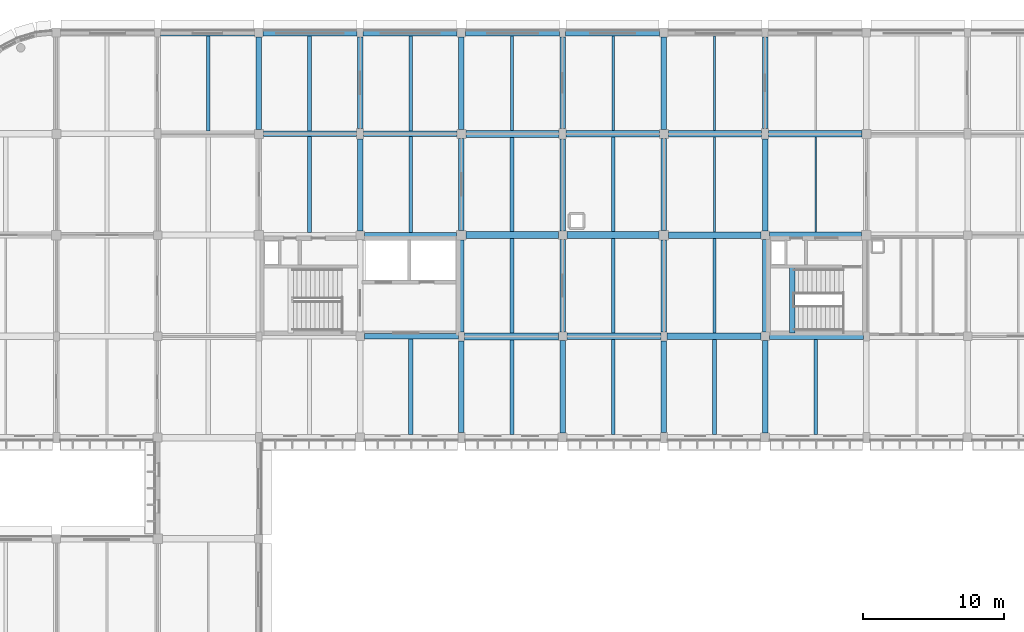
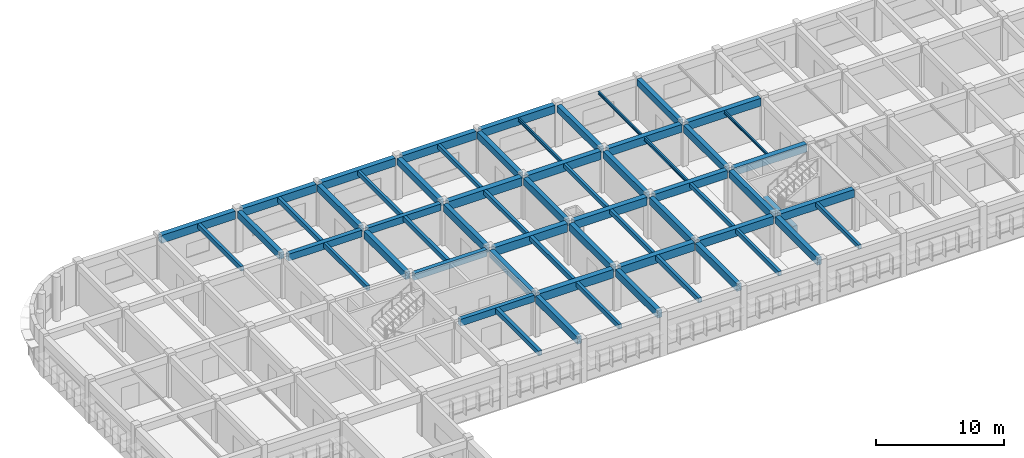
# One storey, part 6 of 38: 61 beams.
"""IFC4 building model written with IfcOpenShell, lengths in metres."""

from ifc_helpers import new_model, si_unit, direction, frame, origin, origin_2d, place, context, subcontext, project, spatial, rectangle, i_section, extrude, material, material_profile, profile_set, type_object, element, save


model = new_model("IFC4")

# Units and contexts
model_context = context("Model", 3, precision=1e-05, world=origin(), true_north=direction((0.0, 1.0)))
body_context = subcontext(model_context, "Body", "Model", "MODEL_VIEW")
ifc_project = project(units=[si_unit("LENGTHUNIT", "METRE"), si_unit("AREAUNIT", "SQUARE_METRE"), si_unit("VOLUMEUNIT", "CUBIC_METRE"), si_unit("PLANEANGLEUNIT", "RADIAN"), si_unit("MASSUNIT", "GRAM", prefix="KILO")], contexts=[model_context])

# Site, building, storey
site_placement = place(None, origin())
site = spatial("IfcSite", under=ifc_project, at=site_placement, CompositionType="ELEMENT")
building_placement = place(site_placement, origin())
building = spatial("IfcBuilding", under=site, at=building_placement, Name="Thalmaran Polytechnic", CompositionType="ELEMENT")
storey_placement = place(building_placement, frame((0.0, 0.0, 18.60009765625)))
storey = spatial("IfcBuildingStorey", under=building, at=storey_placement, Name="L04", CompositionType="ELEMENT", Elevation=18.60009765625)

# Beams
ifc_material_1 = material(Name="Concrete C40/50", Category="concrete")
ifc_material_profile_1 = material_profile(ifc_material_1, rectangle(XDim=0.5, YDim=0.800048828125, at=origin_2d()), Name="RC 500x800")
ifc_profile_set_1 = profile_set([ifc_material_profile_1], Name="Concrete C40/50")
beam_type_1 = type_object("IfcBeamType", Name="BM-RC02", PredefinedType="BEAM", material=ifc_profile_set_1)
beam_1_placement = place(storey_placement, frame((36.2099609375, 100.800048828125, 3.554931640625), z_axis=(1.0, 0.0, 0.0), x_axis=(0.0, 1.0, 0.0)))
element("IfcBeam", 1, at=beam_1_placement, inside=storey, type_object=beam_type_1, Name="Grid Beam B02 L04 X(5,14)", PredefinedType="BEAM", context=body_context, shape_type="SweptSolid", body=[
    extrude(rectangle(XDim=0.5, YDim=0.800048828125, at=origin_2d()), origin(), (0.0, 0.0, 1.0), 6.679931640625),
])
beam_2_placement = place(storey_placement, frame((36.340087890625, 108.0, 3.554931640625), z_axis=(1.0, 0.0, 0.0), x_axis=(0.0, 1.0, 0.0)))
element("IfcBeam", 2, at=beam_2_placement, inside=storey, type_object=beam_type_1, Name="Grid Beam B02 L04 X(5,15)", PredefinedType="BEAM", context=body_context, shape_type="SweptSolid", body=[
    extrude(rectangle(XDim=0.5, YDim=0.800048828125, at=origin_2d()), origin(), (0.0, 0.0, 1.0), 6.559814453125),
])
beam_3_placement = place(storey_placement, frame((36.324951171875, 115.199951171875, 3.554931640625), z_axis=(1.0, 0.0, 0.0), x_axis=(0.0, 1.0, 0.0)))
element("IfcBeam", 3, at=beam_3_placement, inside=storey, type_object=beam_type_1, Name="Grid Beam B02 L04 X(5,16)", PredefinedType="BEAM", context=body_context, shape_type="SweptSolid", body=[
    extrude(rectangle(XDim=0.5, YDim=0.800048828125, at=origin_2d()), origin(), (0.0, 0.0, 1.0), 6.625),
])
ifc_material_profile_2 = material_profile(ifc_material_1, rectangle(XDim=0.449951171875, YDim=0.75, at=origin_2d()), Name="RC 450x750")
ifc_profile_set_2 = profile_set([ifc_material_profile_2], Name="Concrete C40/50")
beam_type_2 = type_object("IfcBeamType", Name="BM-RC03", PredefinedType="BEAM", material=ifc_profile_set_2)
beam_4_placement = place(storey_placement, frame((50.610107421875, 100.800048828125, 3.579833984375), z_axis=(1.0, 0.0, 0.0), x_axis=(0.0, 1.0, 0.0)))
element("IfcBeam", 4, at=beam_4_placement, inside=storey, type_object=beam_type_2, Name="Grid Beam B03 L04 X(7,14)", PredefinedType="BEAM", context=body_context, shape_type="SweptSolid", body=[
    extrude(rectangle(XDim=0.449951171875, YDim=0.75, at=origin_2d()), origin(), (0.0, 0.0, 1.0), 6.679931640625),
])
beam_5_placement = place(storey_placement, frame((50.739990234375, 108.0, 3.579833984375), z_axis=(1.0, 0.0, 0.0), x_axis=(0.0, 1.0, 0.0)))
element("IfcBeam", 5, at=beam_5_placement, inside=storey, type_object=beam_type_2, Name="Grid Beam B03 L04 X(7,15)", PredefinedType="BEAM", context=body_context, shape_type="SweptSolid", body=[
    extrude(rectangle(XDim=0.449951171875, YDim=0.75, at=origin_2d()), origin(), (0.0, 0.0, 1.0), 6.56005859375),
])
beam_6_placement = place(storey_placement, frame((50.72509765625, 115.199951171875, 3.579833984375), z_axis=(1.0, 0.0, 0.0), x_axis=(0.0, 1.0, 0.0)))
element("IfcBeam", 6, at=beam_6_placement, inside=storey, type_object=beam_type_2, Name="Grid Beam B03 L04 X(7,16)", PredefinedType="BEAM", context=body_context, shape_type="SweptSolid", body=[
    extrude(rectangle(XDim=0.449951171875, YDim=0.75, at=origin_2d()), origin(), (0.0, 0.0, 1.0), 6.625),
])
ifc_material_profile_3 = material_profile(ifc_material_1, rectangle(XDim=0.39990234375, YDim=0.64990234375, at=origin_2d()), Name="RC 400x650")
ifc_profile_set_3 = profile_set([ifc_material_profile_3], Name="Concrete C40/50")
beam_type_3 = type_object("IfcBeamType", Name="BM-RC06", PredefinedType="BEAM", material=ifc_profile_set_3)
beam_7_placement = place(storey_placement, frame((21.925048828125, 115.199951171875, 3.6298828125), z_axis=(1.0, 0.0, 0.0), x_axis=(0.0, 1.0, 0.0)))
element("IfcBeam", 7, at=beam_7_placement, inside=storey, type_object=beam_type_3, Name="Grid Beam B06 L04 X(3,16)", PredefinedType="BEAM", context=body_context, shape_type="SweptSolid", body=[
    extrude(rectangle(XDim=0.39990234375, YDim=0.64990234375, at=origin_2d()), origin(), (0.0, 0.0, 1.0), 6.625),
])
ifc_material_profile_4 = material_profile(ifc_material_1, rectangle(XDim=0.39990234375, YDim=0.6298828125, at=origin_2d()), Name="RC 400x630")
ifc_profile_set_4 = profile_set([ifc_material_profile_4], Name="Concrete C40/50")
beam_type_4 = type_object("IfcBeamType", Name="BM-RC07", PredefinedType="BEAM", material=ifc_profile_set_4)
beam_8_placement = place(storey_placement, frame((21.60009765625, 115.52490234375, 3.639892578125), z_axis=(0.0, 1.0, 0.0), x_axis=(-1.0, 0.0, 0.0)))
element("IfcBeam", 8, at=beam_8_placement, inside=storey, type_object=beam_type_4, Name="Grid Beam B07 L04 Y(3,16)", PredefinedType="BEAM", context=body_context, shape_type="SweptSolid", body=[
    extrude(rectangle(XDim=0.39990234375, YDim=0.6298828125, at=origin_2d()), origin(), (0.0, 0.0, 1.0), 6.565185546875),
])
beam_9_placement = place(storey_placement, frame((28.800048828125, 115.574951171875, 3.639892578125), z_axis=(0.0, 1.0, 0.0), x_axis=(-1.0, 0.0, 0.0)))
element("IfcBeam", 9, at=beam_9_placement, inside=storey, type_object=beam_type_4, Name="Grid Beam B07 L04 Y(4,16)", PredefinedType="BEAM", context=body_context, shape_type="SweptSolid", body=[
    extrude(rectangle(XDim=0.39990234375, YDim=0.6298828125, at=origin_2d()), origin(), (0.0, 0.0, 1.0), 6.505126953125),
])
beam_10_placement = place(storey_placement, frame((36.0, 115.52490234375, 3.639892578125), z_axis=(0.0, 1.0, 0.0), x_axis=(-1.0, 0.0, 0.0)))
element("IfcBeam", 10, at=beam_10_placement, inside=storey, type_object=beam_type_4, Name="Grid Beam B07 L04 Y(5,16)", PredefinedType="BEAM", context=body_context, shape_type="SweptSolid", body=[
    extrude(rectangle(XDim=0.39990234375, YDim=0.6298828125, at=origin_2d()), origin(), (0.0, 0.0, 1.0), 6.565185546875),
])
beam_11_placement = place(storey_placement, frame((43.199951171875, 115.574951171875, 3.639892578125), z_axis=(0.0, 1.0, 0.0), x_axis=(-1.0, 0.0, 0.0)))
element("IfcBeam", 11, at=beam_11_placement, inside=storey, type_object=beam_type_4, Name="Grid Beam B07 L04 Y(6,16)", PredefinedType="BEAM", context=body_context, shape_type="SweptSolid", body=[
    extrude(rectangle(XDim=0.39990234375, YDim=0.6298828125, at=origin_2d()), origin(), (0.0, 0.0, 1.0), 6.505126953125),
])
beam_12_placement = place(storey_placement, frame((50.39990234375, 115.52490234375, 3.639892578125), z_axis=(0.0, 1.0, 0.0), x_axis=(-1.0, 0.0, 0.0)))
element("IfcBeam", 12, at=beam_12_placement, inside=storey, type_object=beam_type_4, Name="Grid Beam B07 L04 Y(7,16)", PredefinedType="BEAM", context=body_context, shape_type="SweptSolid", body=[
    extrude(rectangle(XDim=0.39990234375, YDim=0.6298828125, at=origin_2d()), origin(), (0.0, 0.0, 1.0), 6.565185546875),
])
beam_13_placement = place(storey_placement, frame((57.60009765625, 115.574951171875, 3.639892578125), z_axis=(0.0, 1.0, 0.0), x_axis=(-1.0, 0.0, 0.0)))
element("IfcBeam", 13, at=beam_13_placement, inside=storey, type_object=beam_type_4, Name="Grid Beam B07 L04 Y(8,16)", PredefinedType="BEAM", context=body_context, shape_type="SweptSolid", body=[
    extrude(rectangle(XDim=0.39990234375, YDim=0.6298828125, at=origin_2d()), origin(), (0.0, 0.0, 1.0), 6.505126953125),
])
ifc_material_profile_5 = material_profile(ifc_material_1, rectangle(XDim=0.389892578125, YDim=0.68994140625, at=origin_2d()), Name="RC 390x690")
ifc_profile_set_5 = profile_set([ifc_material_profile_5], Name="Concrete C40/50")
beam_type_5 = type_object("IfcBeamType", Name="BM-RC09", PredefinedType="BEAM", material=ifc_profile_set_5)
beam_14_placement = place(storey_placement, frame((36.0, 93.97509765625, 3.60986328125), z_axis=(0.0, 1.0, 0.0), x_axis=(-1.0, 0.0, 0.0)))
element("IfcBeam", 14, at=beam_14_placement, inside=storey, type_object=beam_type_5, Name="Grid Beam B09 L04 Y(5,13)", PredefinedType="BEAM", context=body_context, shape_type="SweptSolid", body=[
    extrude(rectangle(XDim=0.389892578125, YDim=0.68994140625, at=origin_2d()), origin(), (0.0, 0.0, 1.0), 6.5048828125),
])
beam_15_placement = place(storey_placement, frame((43.199951171875, 93.925048828125, 3.60986328125), z_axis=(0.0, 1.0, 0.0), x_axis=(-1.0, 0.0, 0.0)))
element("IfcBeam", 15, at=beam_15_placement, inside=storey, type_object=beam_type_5, Name="Grid Beam B09 L04 Y(6,13)", PredefinedType="BEAM", context=body_context, shape_type="SweptSolid", body=[
    extrude(rectangle(XDim=0.389892578125, YDim=0.68994140625, at=origin_2d()), origin(), (0.0, 0.0, 1.0), 6.56494140625),
])
beam_16_placement = place(storey_placement, frame((50.39990234375, 93.97509765625, 3.60986328125), z_axis=(0.0, 1.0, 0.0), x_axis=(-1.0, 0.0, 0.0)))
element("IfcBeam", 16, at=beam_16_placement, inside=storey, type_object=beam_type_5, Name="Grid Beam B09 L04 Y(7,13)", PredefinedType="BEAM", context=body_context, shape_type="SweptSolid", body=[
    extrude(rectangle(XDim=0.389892578125, YDim=0.68994140625, at=origin_2d()), origin(), (0.0, 0.0, 1.0), 6.5048828125),
])
beam_17_placement = place(storey_placement, frame((57.60009765625, 93.925048828125, 3.60986328125), z_axis=(0.0, 1.0, 0.0), x_axis=(-1.0, 0.0, 0.0)))
element("IfcBeam", 17, at=beam_17_placement, inside=storey, type_object=beam_type_5, Name="Grid Beam B09 L04 Y(8,13)", PredefinedType="BEAM", context=body_context, shape_type="SweptSolid", body=[
    extrude(rectangle(XDim=0.389892578125, YDim=0.68994140625, at=origin_2d()), origin(), (0.0, 0.0, 1.0), 6.56494140625),
])
ifc_material_profile_6 = material_profile(ifc_material_1, rectangle(XDim=0.389892578125, YDim=0.695068359375, at=origin_2d()), Name="RC 390x695")
ifc_profile_set_6 = profile_set([ifc_material_profile_6], Name="Concrete C40/50")
beam_type_6 = type_object("IfcBeamType", Name="BM-RC10", PredefinedType="BEAM", material=ifc_profile_set_6)
beam_18_placement = place(storey_placement, frame((28.800048828125, 108.300048828125, 3.607421875), z_axis=(0.0, 1.0, 0.0), x_axis=(-1.0, 0.0, 0.0)))
element("IfcBeam", 18, at=beam_18_placement, inside=storey, type_object=beam_type_6, Name="Grid Beam B10 L04 Y(4,15)", PredefinedType="BEAM", context=body_context, shape_type="SweptSolid", body=[
    extrude(rectangle(XDim=0.389892578125, YDim=0.695068359375, at=origin_2d()), origin(), (0.0, 0.0, 1.0), 6.52490234375),
])
beam_19_placement = place(storey_placement, frame((36.0, 108.340087890625, 3.607421875), z_axis=(0.0, 1.0, 0.0), x_axis=(-1.0, 0.0, 0.0)))
element("IfcBeam", 19, at=beam_19_placement, inside=storey, type_object=beam_type_6, Name="Grid Beam B10 L04 Y(5,15)", PredefinedType="BEAM", context=body_context, shape_type="SweptSolid", body=[
    extrude(rectangle(XDim=0.389892578125, YDim=0.695068359375, at=origin_2d()), origin(), (0.0, 0.0, 1.0), 6.534912109375),
])
beam_20_placement = place(storey_placement, frame((43.199951171875, 108.300048828125, 3.607421875), z_axis=(0.0, 1.0, 0.0), x_axis=(-1.0, 0.0, 0.0)))
element("IfcBeam", 20, at=beam_20_placement, inside=storey, type_object=beam_type_6, Name="Grid Beam B10 L04 Y(6,15)", PredefinedType="BEAM", context=body_context, shape_type="SweptSolid", body=[
    extrude(rectangle(XDim=0.389892578125, YDim=0.695068359375, at=origin_2d()), origin(), (0.0, 0.0, 1.0), 6.52490234375),
])
beam_21_placement = place(storey_placement, frame((50.39990234375, 108.340087890625, 3.607421875), z_axis=(0.0, 1.0, 0.0), x_axis=(-1.0, 0.0, 0.0)))
element("IfcBeam", 21, at=beam_21_placement, inside=storey, type_object=beam_type_6, Name="Grid Beam B10 L04 Y(7,15)", PredefinedType="BEAM", context=body_context, shape_type="SweptSolid", body=[
    extrude(rectangle(XDim=0.389892578125, YDim=0.695068359375, at=origin_2d()), origin(), (0.0, 0.0, 1.0), 6.534912109375),
])
beam_22_placement = place(storey_placement, frame((57.60009765625, 108.300048828125, 3.607421875), z_axis=(0.0, 1.0, 0.0), x_axis=(-1.0, 0.0, 0.0)))
element("IfcBeam", 22, at=beam_22_placement, inside=storey, type_object=beam_type_6, Name="Grid Beam B10 L04 Y(8,15)", PredefinedType="BEAM", context=body_context, shape_type="SweptSolid", body=[
    extrude(rectangle(XDim=0.389892578125, YDim=0.695068359375, at=origin_2d()), origin(), (0.0, 0.0, 1.0), 6.52490234375),
])
beam_23_placement = place(storey_placement, frame((59.52001953125, 101.0400390625, 1.639892578125), z_axis=(0.0, 1.0, 0.0), x_axis=(-1.0, 0.0, 0.0)))
element("IfcBeam", 23, at=beam_23_placement, inside=storey, type_object=beam_type_6, Name="ST6 L04 Half-Landing Trimmer Beam", PredefinedType="BEAM", context=body_context, shape_type="SweptSolid", body=[
    extrude(rectangle(XDim=0.389892578125, YDim=0.695068359375, at=origin_2d()), origin(), (0.0, 0.0, 1.0), 4.699951171875),
])
ifc_material_profile_7 = material_profile(ifc_material_1, rectangle(XDim=0.300048828125, YDim=0.449951171875, at=origin_2d()), Name="RC 300x450")
ifc_profile_set_7 = profile_set([ifc_material_profile_7], Name="Concrete C40/50")
beam_type_7 = type_object("IfcBeamType", Name="BM-RC12", PredefinedType="JOIST", material=ifc_profile_set_7)
beam_24_placement = place(storey_placement, frame((32.39990234375, 93.824951171875, 3.72998046875), z_axis=(0.0, 1.0, 0.0), x_axis=(-1.0, 0.0, 0.0)))
element("IfcBeam", 24, at=beam_24_placement, inside=storey, type_object=beam_type_7, Name="Secondary Floor Rib RB02 L04 (4,13)", PredefinedType="JOIST", context=body_context, shape_type="SweptSolid", body=[
    extrude(rectangle(XDim=0.300048828125, YDim=0.449951171875, at=origin_2d()), origin(), (0.0, 0.0, 1.0), 6.78515625),
])
ifc_material_profile_8 = material_profile(ifc_material_1, rectangle(XDim=0.280029296875, YDim=0.449951171875, at=origin_2d()), Name="RC 280x450")
ifc_profile_set_8 = profile_set([ifc_material_profile_8], Name="Concrete C40/50")
beam_type_8 = type_object("IfcBeamType", Name="BM-RC13", PredefinedType="JOIST", material=ifc_profile_set_8)
beam_25_placement = place(storey_placement, frame((25.199951171875, 115.39990234375, 3.72998046875), z_axis=(0.0, 1.0, 0.0), x_axis=(-1.0, 0.0, 0.0)))
element("IfcBeam", 25, at=beam_25_placement, inside=storey, type_object=beam_type_8, Name="Secondary Floor Rib RB03 L04 (3,16)", PredefinedType="JOIST", context=body_context, shape_type="SweptSolid", body=[
    extrude(rectangle(XDim=0.280029296875, YDim=0.449951171875, at=origin_2d()), origin(), (0.0, 0.0, 1.0), 6.775146484375),
])
beam_26_placement = place(storey_placement, frame((32.39990234375, 108.18994140625, 3.72998046875), z_axis=(0.0, 1.0, 0.0), x_axis=(-1.0, 0.0, 0.0)))
element("IfcBeam", 26, at=beam_26_placement, inside=storey, type_object=beam_type_8, Name="Secondary Floor Rib RB03 L04 (4,15)", PredefinedType="JOIST", context=body_context, shape_type="SweptSolid", body=[
    extrude(rectangle(XDim=0.280029296875, YDim=0.449951171875, at=origin_2d()), origin(), (0.0, 0.0, 1.0), 6.820068359375),
])
beam_27_placement = place(storey_placement, frame((39.60009765625, 101.050048828125, 3.72998046875), z_axis=(0.0, 1.0, 0.0), x_axis=(-1.0, 0.0, 0.0)))
element("IfcBeam", 27, at=beam_27_placement, inside=storey, type_object=beam_type_8, Name="Secondary Floor Rib RB03 L04 (5,14)", PredefinedType="JOIST", context=body_context, shape_type="SweptSolid", body=[
    extrude(rectangle(XDim=0.280029296875, YDim=0.449951171875, at=origin_2d()), origin(), (0.0, 0.0, 1.0), 6.699951171875),
])
beam_28_placement = place(storey_placement, frame((46.800048828125, 93.824951171875, 3.72998046875), z_axis=(0.0, 1.0, 0.0), x_axis=(-1.0, 0.0, 0.0)))
element("IfcBeam", 28, at=beam_28_placement, inside=storey, type_object=beam_type_8, Name="Secondary Floor Rib RB03 L04 (6,13)", PredefinedType="JOIST", context=body_context, shape_type="SweptSolid", body=[
    extrude(rectangle(XDim=0.280029296875, YDim=0.449951171875, at=origin_2d()), origin(), (0.0, 0.0, 1.0), 6.735107421875),
])
ifc_material_2 = material(Name="Steel S355", Category="steel")
ifc_material_profile_9 = material_profile(ifc_material_2, i_section(OverallWidth=0.159912109375, OverallDepth=0.330078125, WebThickness=0.007568359375, FlangeThickness=0.011474609375, at=origin_2d()), Name="IPE 330")
ifc_profile_set_9 = profile_set([ifc_material_profile_9], Name="Steel S355")
beam_type_9 = type_object("IfcBeamType", Name="BM-SJ02", PredefinedType="JOIST", material=ifc_profile_set_9)
beam_29_placement = place(storey_placement, frame((46.800048828125, 115.43994140625, 3.789794921875), z_axis=(0.0, 1.0, 0.0), x_axis=(-1.0, 0.0, 0.0)))
element("IfcBeam", 29, at=beam_29_placement, inside=storey, type_object=beam_type_9, Name="Secondary Floor Rib SJ02 L04 (6,16)", PredefinedType="JOIST", context=body_context, shape_type="SweptSolid", body=[
    extrude(i_section(OverallWidth=0.159912109375, OverallDepth=0.330078125, WebThickness=0.007568359375, FlangeThickness=0.011474609375, at=origin_2d()), origin(), (0.0, 0.0, 1.0), 6.735107421875),
])
beam_30_placement = place(storey_placement, frame((54.0, 108.22509765625, 3.789794921875), z_axis=(0.0, 1.0, 0.0), x_axis=(-1.0, 0.0, 0.0)))
element("IfcBeam", 30, at=beam_30_placement, inside=storey, type_object=beam_type_9, Name="Secondary Floor Rib SJ02 L04 (7,15)", PredefinedType="JOIST", context=body_context, shape_type="SweptSolid", body=[
    extrude(i_section(OverallWidth=0.159912109375, OverallDepth=0.330078125, WebThickness=0.007568359375, FlangeThickness=0.011474609375, at=origin_2d()), origin(), (0.0, 0.0, 1.0), 6.75),
])
ifc_material_profile_10 = material_profile(ifc_material_2, i_section(OverallWidth=0.135009765625, OverallDepth=0.27001953125, WebThickness=0.006591796875, FlangeThickness=0.01025390625, at=origin_2d()), Name="IPE 270")
ifc_profile_set_10 = profile_set([ifc_material_profile_10], Name="Steel S355")
beam_type_10 = type_object("IfcBeamType", Name="BM-SJ03", PredefinedType="JOIST", material=ifc_profile_set_10)
beam_31_placement = place(storey_placement, frame((54.0, 115.425048828125, 3.81982421875), z_axis=(0.0, 1.0, 0.0), x_axis=(-1.0, 0.0, 0.0)))
element("IfcBeam", 31, at=beam_31_placement, inside=storey, type_object=beam_type_10, Name="Secondary Floor Rib SJ03 L04 (7,16)", PredefinedType="JOIST", context=body_context, shape_type="SweptSolid", body=[
    extrude(i_section(OverallWidth=0.135009765625, OverallDepth=0.27001953125, WebThickness=0.006591796875, FlangeThickness=0.01025390625, at=origin_2d()), origin(), (0.0, 0.0, 1.0), 6.75),
])
beam_32_placement = place(storey_placement, frame((61.199951171875, 108.22998046875, 3.81982421875), z_axis=(0.0, 1.0, 0.0), x_axis=(-1.0, 0.0, 0.0)))
element("IfcBeam", 32, at=beam_32_placement, inside=storey, type_object=beam_type_10, Name="Secondary Floor Rib SJ03 L04 (8,15)", PredefinedType="JOIST", context=body_context, shape_type="SweptSolid", body=[
    extrude(i_section(OverallWidth=0.135009765625, OverallDepth=0.27001953125, WebThickness=0.006591796875, FlangeThickness=0.01025390625, at=origin_2d()), origin(), (0.0, 0.0, 1.0), 6.739990234375),
])
ifc_material_profile_11 = material_profile(ifc_material_1, rectangle(XDim=0.449951171875, YDim=0.7548828125, at=origin_2d()), Name="RC 450x755")
ifc_profile_set_11 = profile_set([ifc_material_profile_11], Name="Concrete C40/50")
beam_type_11 = type_object("IfcBeamType", Name="BM-SP02", PredefinedType="SPANDREL", material=ifc_profile_set_11)
beam_33_placement = place(storey_placement, frame((14.610107421875, 122.39990234375, 3.577392578125), z_axis=(1.0, 0.0, 0.0), x_axis=(0.0, 1.0, 0.0)))
element("IfcBeam", 33, at=beam_33_placement, inside=storey, type_object=beam_type_11, Name="Grid Beam SP02 L04 X(2,17)", PredefinedType="SPANDREL", context=body_context, shape_type="SweptSolid", body=[
    extrude(rectangle(XDim=0.449951171875, YDim=0.7548828125, at=origin_2d()), origin(), (0.0, 0.0, 1.0), 6.679931640625),
])
beam_34_placement = place(storey_placement, frame((21.909912109375, 122.39990234375, 3.577392578125), z_axis=(1.0, 0.0, 0.0), x_axis=(0.0, 1.0, 0.0)))
element("IfcBeam", 34, at=beam_34_placement, inside=storey, type_object=beam_type_11, Name="Grid Beam SP02 L04 X(3,17)", PredefinedType="SPANDREL", context=body_context, shape_type="SweptSolid", body=[
    extrude(rectangle(XDim=0.449951171875, YDim=0.7548828125, at=origin_2d()), origin(), (0.0, 0.0, 1.0), 6.68017578125),
])
for number, where, z_axis, x_axis, name in (
    (35, (29.010009765625, 122.39990234375, 3.577392578125), (1.0, 0.0, 0.0), (0.0, 1.0, 0.0), "Grid Beam SP02 L04 X(4,17)"),
    (36, (36.31005859375, 122.39990234375, 3.577392578125), (1.0, 0.0, 0.0), (0.0, 1.0, 0.0), "Grid Beam SP02 L04 X(5,17)"),
):
    element("IfcBeam", number, at=place(storey_placement, frame(where, z_axis=z_axis, x_axis=x_axis)), inside=storey, type_object=beam_type_11, Name=name, PredefinedType="SPANDREL", context=body_context, shape_type="SweptSolid", body=[
        extrude(rectangle(XDim=0.449951171875, YDim=0.7548828125, at=origin_2d()), origin(), (0.0, 0.0, 1.0), 6.679931640625),
    ])
beam_35_placement = place(storey_placement, frame((43.409912109375, 122.39990234375, 3.577392578125), z_axis=(1.0, 0.0, 0.0), x_axis=(0.0, 1.0, 0.0)))
element("IfcBeam", 37, at=beam_35_placement, inside=storey, type_object=beam_type_11, Name="Grid Beam SP02 L04 X(6,17)", PredefinedType="SPANDREL", context=body_context, shape_type="SweptSolid", body=[
    extrude(rectangle(XDim=0.449951171875, YDim=0.7548828125, at=origin_2d()), origin(), (0.0, 0.0, 1.0), 6.68017578125),
])
ifc_material_profile_12 = material_profile(ifc_material_1, rectangle(XDim=0.47998046875, YDim=0.780029296875, at=origin_2d()), Name="RC 480x780")
ifc_profile_set_12 = profile_set([ifc_material_profile_12], Name="Concrete C40/50")
beam_type_12 = type_object("IfcBeamType", Name="BM-ZB01", PredefinedType="BEAM", material=ifc_profile_set_12)
beam_36_placement = place(storey_placement, frame((43.510009765625, 100.800048828125, 3.56494140625), z_axis=(1.0, 0.0, 0.0), x_axis=(0.0, 1.0, 0.0)))
element("IfcBeam", 38, at=beam_36_placement, inside=storey, type_object=beam_type_12, Name="Grid Beam ZB01 L04 X(6,14)", PredefinedType="BEAM", context=body_context, shape_type="SweptSolid", body=[
    extrude(rectangle(XDim=0.47998046875, YDim=0.780029296875, at=origin_2d()), origin(), (0.0, 0.0, 1.0), 6.679931640625),
])
beam_37_placement = place(storey_placement, frame((43.5, 108.0, 3.56494140625), z_axis=(1.0, 0.0, 0.0), x_axis=(0.0, 1.0, 0.0)))
element("IfcBeam", 39, at=beam_37_placement, inside=storey, type_object=beam_type_12, Name="Grid Beam ZB01 L04 X(6,15)", PredefinedType="BEAM", context=body_context, shape_type="SweptSolid", body=[
    extrude(rectangle(XDim=0.47998046875, YDim=0.780029296875, at=origin_2d()), origin(), (0.0, 0.0, 1.0), 6.56005859375),
])
beam_38_placement = place(storey_placement, frame((43.449951171875, 115.199951171875, 3.56494140625), z_axis=(1.0, 0.0, 0.0), x_axis=(0.0, 1.0, 0.0)))
element("IfcBeam", 40, at=beam_38_placement, inside=storey, type_object=beam_type_12, Name="Grid Beam ZB01 L04 X(6,16)", PredefinedType="BEAM", context=body_context, shape_type="SweptSolid", body=[
    extrude(rectangle(XDim=0.47998046875, YDim=0.780029296875, at=origin_2d()), origin(), (0.0, 0.0, 1.0), 6.625),
])
ifc_material_profile_13 = material_profile(ifc_material_1, rectangle(XDim=0.4599609375, YDim=0.739990234375, at=origin_2d()), Name="RC 460x740")
ifc_profile_set_13 = profile_set([ifc_material_profile_13], Name="Concrete C40/50")
beam_type_13 = type_object("IfcBeamType", Name="BM-ZB02", PredefinedType="BEAM", material=ifc_profile_set_13)
beam_39_placement = place(storey_placement, frame((57.909912109375, 100.800048828125, 3.5849609375), z_axis=(1.0, 0.0, 0.0), x_axis=(0.0, 1.0, 0.0)))
element("IfcBeam", 41, at=beam_39_placement, inside=storey, type_object=beam_type_13, Name="Grid Beam ZB02 L04 X(8,14)", PredefinedType="BEAM", context=body_context, shape_type="SweptSolid", body=[
    extrude(rectangle(XDim=0.4599609375, YDim=0.739990234375, at=origin_2d()), origin(), (0.0, 0.0, 1.0), 6.68017578125),
])
beam_40_placement = place(storey_placement, frame((57.89990234375, 108.0, 3.5849609375), z_axis=(1.0, 0.0, 0.0), x_axis=(0.0, 1.0, 0.0)))
element("IfcBeam", 42, at=beam_40_placement, inside=storey, type_object=beam_type_13, Name="Grid Beam ZB02 L04 X(8,15)", PredefinedType="BEAM", context=body_context, shape_type="SweptSolid", body=[
    extrude(rectangle(XDim=0.4599609375, YDim=0.739990234375, at=origin_2d()), origin(), (0.0, 0.0, 1.0), 6.56005859375),
])
beam_41_placement = place(storey_placement, frame((57.85009765625, 115.199951171875, 3.5849609375), z_axis=(1.0, 0.0, 0.0), x_axis=(0.0, 1.0, 0.0)))
element("IfcBeam", 43, at=beam_41_placement, inside=storey, type_object=beam_type_13, Name="Grid Beam ZB02 L04 X(8,16)", PredefinedType="BEAM", context=body_context, shape_type="SweptSolid", body=[
    extrude(rectangle(XDim=0.4599609375, YDim=0.739990234375, at=origin_2d()), origin(), (0.0, 0.0, 1.0), 6.625),
])
ifc_material_profile_14 = material_profile(ifc_material_1, rectangle(XDim=0.3798828125, YDim=0.639892578125, at=origin_2d()), Name="RC 380x640")
ifc_profile_set_14 = profile_set([ifc_material_profile_14], Name="Concrete C40/50")
beam_type_14 = type_object("IfcBeamType", Name="BM-ZB05", PredefinedType="BEAM", material=ifc_profile_set_14)
beam_42_placement = place(storey_placement, frame((29.110107421875, 100.800048828125, 3.635009765625), z_axis=(1.0, 0.0, 0.0), x_axis=(0.0, 1.0, 0.0)))
element("IfcBeam", 44, at=beam_42_placement, inside=storey, type_object=beam_type_14, Name="Grid Beam ZB05 L04 X(4,14)", PredefinedType="BEAM", context=body_context, shape_type="SweptSolid", body=[
    extrude(rectangle(XDim=0.3798828125, YDim=0.639892578125, at=origin_2d()), origin(), (0.0, 0.0, 1.0), 6.679931640625),
])
beam_43_placement = place(storey_placement, frame((29.10009765625, 108.0, 3.635009765625), z_axis=(1.0, 0.0, 0.0), x_axis=(0.0, 1.0, 0.0)))
element("IfcBeam", 45, at=beam_43_placement, inside=storey, type_object=beam_type_14, Name="Grid Beam ZB05 L04 X(4,15)", PredefinedType="BEAM", context=body_context, shape_type="SweptSolid", body=[
    extrude(rectangle(XDim=0.3798828125, YDim=0.639892578125, at=origin_2d()), origin(), (0.0, 0.0, 1.0), 6.559814453125),
])
beam_44_placement = place(storey_placement, frame((29.050048828125, 115.199951171875, 3.635009765625), z_axis=(1.0, 0.0, 0.0), x_axis=(0.0, 1.0, 0.0)))
element("IfcBeam", 46, at=beam_44_placement, inside=storey, type_object=beam_type_14, Name="Grid Beam ZB05 L04 X(4,16)", PredefinedType="BEAM", context=body_context, shape_type="SweptSolid", body=[
    extrude(rectangle(XDim=0.3798828125, YDim=0.639892578125, at=origin_2d()), origin(), (0.0, 0.0, 1.0), 6.625),
])
ifc_material_profile_15 = material_profile(ifc_material_1, rectangle(XDim=0.39990234375, YDim=0.695068359375, at=origin_2d()), Name="RC 400x695")
ifc_profile_set_15 = profile_set([ifc_material_profile_15], Name="Concrete C40/50")
beam_type_15 = type_object("IfcBeamType", Name="BM-ZB08", PredefinedType="BEAM", material=ifc_profile_set_15)
beam_45_placement = place(storey_placement, frame((36.0, 101.1201171875, 3.607421875), z_axis=(0.0, 1.0, 0.0), x_axis=(-1.0, 0.0, 0.0)))
element("IfcBeam", 47, at=beam_45_placement, inside=storey, type_object=beam_type_15, Name="Grid Beam ZB08 L04 Y(5,14)", PredefinedType="BEAM", context=body_context, shape_type="SweptSolid", body=[
    extrude(rectangle(XDim=0.39990234375, YDim=0.695068359375, at=origin_2d()), origin(), (0.0, 0.0, 1.0), 6.539794921875),
])
beam_46_placement = place(storey_placement, frame((43.199951171875, 101.110107421875, 3.607421875), z_axis=(0.0, 1.0, 0.0), x_axis=(-1.0, 0.0, 0.0)))
element("IfcBeam", 48, at=beam_46_placement, inside=storey, type_object=beam_type_15, Name="Grid Beam ZB08 L04 Y(6,14)", PredefinedType="BEAM", context=body_context, shape_type="SweptSolid", body=[
    extrude(rectangle(XDim=0.39990234375, YDim=0.695068359375, at=origin_2d()), origin(), (0.0, 0.0, 1.0), 6.58984375),
])
beam_47_placement = place(storey_placement, frame((50.39990234375, 101.1201171875, 3.607421875), z_axis=(0.0, 1.0, 0.0), x_axis=(-1.0, 0.0, 0.0)))
element("IfcBeam", 49, at=beam_47_placement, inside=storey, type_object=beam_type_15, Name="Grid Beam ZB08 L04 Y(7,14)", PredefinedType="BEAM", context=body_context, shape_type="SweptSolid", body=[
    extrude(rectangle(XDim=0.39990234375, YDim=0.695068359375, at=origin_2d()), origin(), (0.0, 0.0, 1.0), 6.539794921875),
])
beam_48_placement = place(storey_placement, frame((57.60009765625, 101.110107421875, 3.607421875), z_axis=(0.0, 1.0, 0.0), x_axis=(-1.0, 0.0, 0.0)))
element("IfcBeam", 50, at=beam_48_placement, inside=storey, type_object=beam_type_15, Name="Grid Beam ZB08 L04 Y(8,14)", PredefinedType="BEAM", context=body_context, shape_type="SweptSolid", body=[
    extrude(rectangle(XDim=0.39990234375, YDim=0.695068359375, at=origin_2d()), origin(), (0.0, 0.0, 1.0), 6.58984375),
])
ifc_material_profile_16 = material_profile(ifc_material_1, rectangle(XDim=0.260009765625, YDim=0.43994140625, at=origin_2d()), Name="RC 260x440")
ifc_profile_set_16 = profile_set([ifc_material_profile_16], Name="Concrete C40/50")
beam_type_16 = type_object("IfcBeamType", Name="BM-ZJ02", PredefinedType="JOIST", material=ifc_profile_set_16)
beam_49_placement = place(storey_placement, frame((18.0, 115.409912109375, 3.73486328125), z_axis=(0.0, 1.0, 0.0), x_axis=(-1.0, 0.0, 0.0)))
element("IfcBeam", 51, at=beam_49_placement, inside=storey, type_object=beam_type_16, Name="Secondary Floor Rib ZJ02 L04 (2,16)", PredefinedType="JOIST", context=body_context, shape_type="SweptSolid", body=[
    extrude(rectangle(XDim=0.260009765625, YDim=0.43994140625, at=origin_2d()), origin(), (0.0, 0.0, 1.0), 6.76513671875),
])
beam_50_placement = place(storey_placement, frame((25.199951171875, 108.199951171875, 3.73486328125), z_axis=(0.0, 1.0, 0.0), x_axis=(-1.0, 0.0, 0.0)))
element("IfcBeam", 52, at=beam_50_placement, inside=storey, type_object=beam_type_16, Name="Secondary Floor Rib ZJ02 L04 (3,15)", PredefinedType="JOIST", context=body_context, shape_type="SweptSolid", body=[
    extrude(rectangle(XDim=0.260009765625, YDim=0.43994140625, at=origin_2d()), origin(), (0.0, 0.0, 1.0), 6.800048828125),
])
beam_51_placement = place(storey_placement, frame((39.60009765625, 93.824951171875, 3.73486328125), z_axis=(0.0, 1.0, 0.0), x_axis=(-1.0, 0.0, 0.0)))
element("IfcBeam", 53, at=beam_51_placement, inside=storey, type_object=beam_type_16, Name="Secondary Floor Rib ZJ02 L04 (5,13)", PredefinedType="JOIST", context=body_context, shape_type="SweptSolid", body=[
    extrude(rectangle(XDim=0.260009765625, YDim=0.43994140625, at=origin_2d()), origin(), (0.0, 0.0, 1.0), 6.72509765625),
])
ifc_material_profile_17 = material_profile(ifc_material_1, rectangle(XDim=0.25, YDim=0.419921875, at=origin_2d()), Name="RC 250x420")
ifc_profile_set_17 = profile_set([ifc_material_profile_17], Name="Concrete C40/50")
beam_type_17 = type_object("IfcBeamType", Name="BM-ZJ03", PredefinedType="JOIST", material=ifc_profile_set_17)
beam_52_placement = place(storey_placement, frame((32.39990234375, 115.389892578125, 3.744873046875), z_axis=(0.0, 1.0, 0.0), x_axis=(-1.0, 0.0, 0.0)))
element("IfcBeam", 54, at=beam_52_placement, inside=storey, type_object=beam_type_17, Name="Secondary Floor Rib ZJ03 L04 (4,16)", PredefinedType="JOIST", context=body_context, shape_type="SweptSolid", body=[
    extrude(rectangle(XDim=0.25, YDim=0.419921875, at=origin_2d()), origin(), (0.0, 0.0, 1.0), 6.78515625),
])
beam_53_placement = place(storey_placement, frame((39.60009765625, 108.25, 3.744873046875), z_axis=(0.0, 1.0, 0.0), x_axis=(-1.0, 0.0, 0.0)))
element("IfcBeam", 55, at=beam_53_placement, inside=storey, type_object=beam_type_17, Name="Secondary Floor Rib ZJ03 L04 (5,15)", PredefinedType="JOIST", context=body_context, shape_type="SweptSolid", body=[
    extrude(rectangle(XDim=0.25, YDim=0.419921875, at=origin_2d()), origin(), (0.0, 0.0, 1.0), 6.699951171875),
])
beam_54_placement = place(storey_placement, frame((46.800048828125, 101.0400390625, 3.744873046875), z_axis=(0.0, 1.0, 0.0), x_axis=(-1.0, 0.0, 0.0)))
element("IfcBeam", 56, at=beam_54_placement, inside=storey, type_object=beam_type_17, Name="Secondary Floor Rib ZJ03 L04 (6,14)", PredefinedType="JOIST", context=body_context, shape_type="SweptSolid", body=[
    extrude(rectangle(XDim=0.25, YDim=0.419921875, at=origin_2d()), origin(), (0.0, 0.0, 1.0), 6.719970703125),
])
beam_55_placement = place(storey_placement, frame((54.0, 93.824951171875, 3.744873046875), z_axis=(0.0, 1.0, 0.0), x_axis=(-1.0, 0.0, 0.0)))
element("IfcBeam", 57, at=beam_55_placement, inside=storey, type_object=beam_type_17, Name="Secondary Floor Rib ZJ03 L04 (7,13)", PredefinedType="JOIST", context=body_context, shape_type="SweptSolid", body=[
    extrude(rectangle(XDim=0.25, YDim=0.419921875, at=origin_2d()), origin(), (0.0, 0.0, 1.0), 6.75),
])
ifc_material_profile_18 = material_profile(ifc_material_1, rectangle(XDim=0.239990234375, YDim=0.39990234375, at=origin_2d()), Name="RC 240x400")
ifc_profile_set_18 = profile_set([ifc_material_profile_18], Name="Concrete C40/50")
beam_type_18 = type_object("IfcBeamType", Name="BM-ZJ04", PredefinedType="JOIST", material=ifc_profile_set_18)
beam_56_placement = place(storey_placement, frame((39.60009765625, 115.449951171875, 3.7548828125), z_axis=(0.0, 1.0, 0.0), x_axis=(-1.0, 0.0, 0.0)))
element("IfcBeam", 58, at=beam_56_placement, inside=storey, type_object=beam_type_18, Name="Secondary Floor Rib ZJ04 L04 (5,16)", PredefinedType="JOIST", context=body_context, shape_type="SweptSolid", body=[
    extrude(rectangle(XDim=0.239990234375, YDim=0.39990234375, at=origin_2d()), origin(), (0.0, 0.0, 1.0), 6.72509765625),
])
beam_57_placement = place(storey_placement, frame((46.800048828125, 108.239990234375, 3.7548828125), z_axis=(0.0, 1.0, 0.0), x_axis=(-1.0, 0.0, 0.0)))
element("IfcBeam", 59, at=beam_57_placement, inside=storey, type_object=beam_type_18, Name="Secondary Floor Rib ZJ04 L04 (6,15)", PredefinedType="JOIST", context=body_context, shape_type="SweptSolid", body=[
    extrude(rectangle(XDim=0.239990234375, YDim=0.39990234375, at=origin_2d()), origin(), (0.0, 0.0, 1.0), 6.719970703125),
])
beam_58_placement = place(storey_placement, frame((54.0, 101.02490234375, 3.7548828125), z_axis=(0.0, 1.0, 0.0), x_axis=(-1.0, 0.0, 0.0)))
element("IfcBeam", 60, at=beam_58_placement, inside=storey, type_object=beam_type_18, Name="Secondary Floor Rib ZJ04 L04 (7,14)", PredefinedType="JOIST", context=body_context, shape_type="SweptSolid", body=[
    extrude(rectangle(XDim=0.239990234375, YDim=0.39990234375, at=origin_2d()), origin(), (0.0, 0.0, 1.0), 6.75),
])
beam_59_placement = place(storey_placement, frame((61.199951171875, 93.824951171875, 3.7548828125), z_axis=(0.0, 1.0, 0.0), x_axis=(-1.0, 0.0, 0.0)))
element("IfcBeam", 61, at=beam_59_placement, inside=storey, type_object=beam_type_18, Name="Secondary Floor Rib ZJ04 L04 (8,13)", PredefinedType="JOIST", context=body_context, shape_type="SweptSolid", body=[
    extrude(rectangle(XDim=0.239990234375, YDim=0.39990234375, at=origin_2d()), origin(), (0.0, 0.0, 1.0), 6.7451171875),
])

save(model, "model.ifc")
